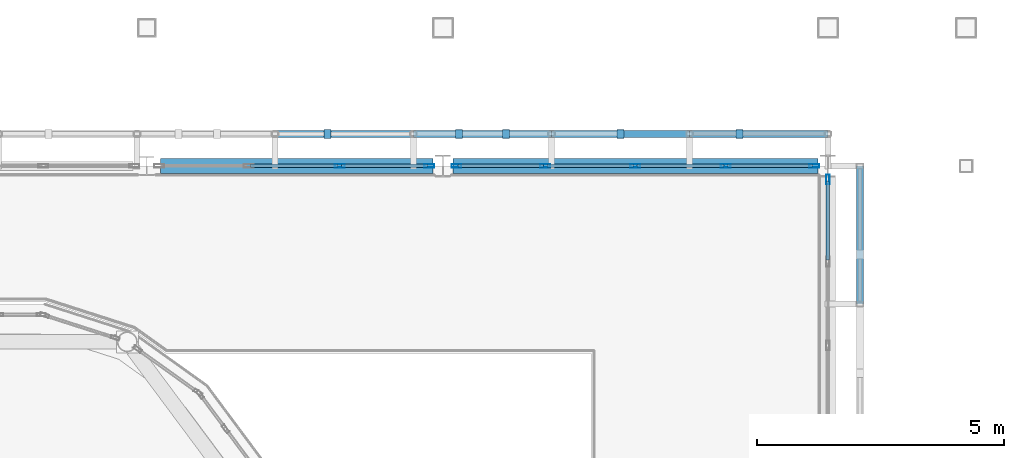
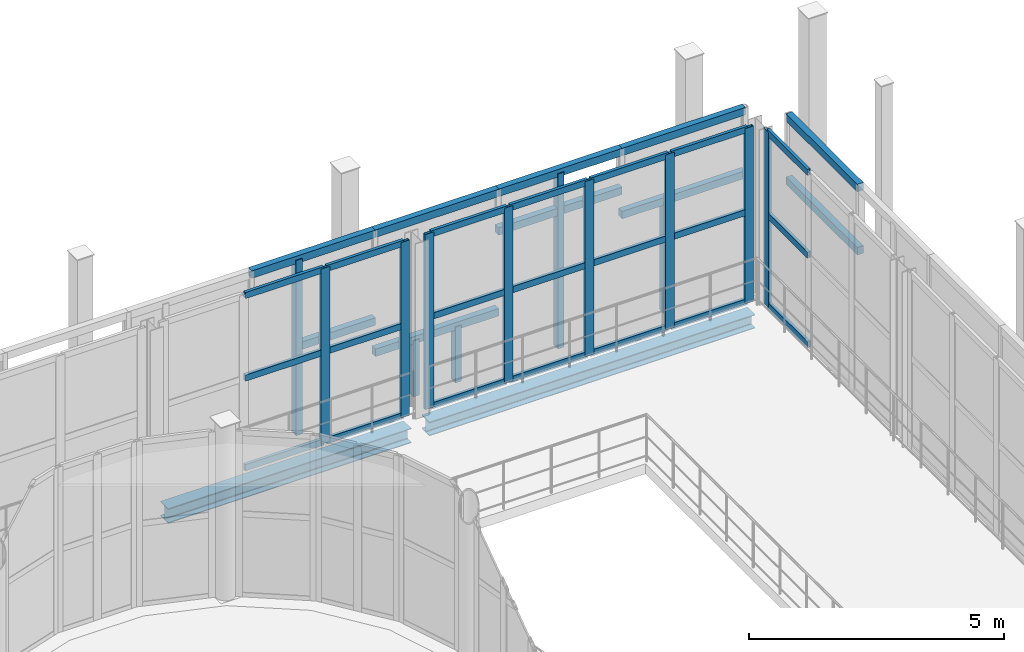
# One storey, part 52 of 121: 44 members, 2 beams, 3 elements without a shape of their own.
"""IFC4 building model written with IfcOpenShell, lengths in metres."""

from ifc_helpers import new_model, si_unit, direction, frame, origin, origin_2d, place, context, subcontext, project, spatial, rectangle, hollow_rectangle, i_section, extrude, material, layer, layer_set, material_profile, profile_set, type_object, element, aggregate, save


model = new_model("IFC4")

# Units and contexts
model_context = context("Model", 3, precision=1e-05, world=origin(), true_north=direction((0.0, 1.0)))
body_context = subcontext(model_context, "Body", "Model", "MODEL_VIEW")
ifc_project = project(units=[si_unit("LENGTHUNIT", "METRE"), si_unit("AREAUNIT", "SQUARE_METRE"), si_unit("VOLUMEUNIT", "CUBIC_METRE"), si_unit("PLANEANGLEUNIT", "RADIAN"), si_unit("MASSUNIT", "GRAM", prefix="KILO")], contexts=[model_context])

# Site, building, storey
site_placement = place(None, origin())
site = spatial("IfcSite", under=ifc_project, at=site_placement, CompositionType="ELEMENT")
building_placement = place(site_placement, origin())
building = spatial("IfcBuilding", under=site, at=building_placement, Name="Vinh Khe Railworks Police Headquarters", CompositionType="ELEMENT")
storey_placement = place(building_placement, frame((0.0, 0.0, 4.800048828125)))
storey = spatial("IfcBuildingStorey", under=building, at=storey_placement, Name="L01", CompositionType="ELEMENT", Elevation=4.800048828125)

# Members
ifc_material_1 = material(Name="Salvaged ironwood timber", Category="wood")
ifc_material_profile_1 = material_profile(ifc_material_1, rectangle(XDim=0.139892578125, YDim=0.179931640625, at=origin_2d()), Name="TIMBER 140x180")
ifc_profile_set_1 = profile_set([ifc_material_profile_1], Name="Salvaged ironwood timber")
member_type_1 = type_object("IfcMemberType", Name="MEM-QUILT-STILE", PredefinedType="CHORD", material=ifc_profile_set_1)
member_1_placement = place(storey_placement, frame((48.800048828125, 59.449951171875, 4.119873046875), z_axis=(1.0, 0.0, 0.0), x_axis=(0.0, 1.0, 0.0)))
element("IfcMember", 1, at=member_1_placement, inside=storey, type_object=member_type_1, Name="Salvaged Timber Quilt Transom N-L01-08-TOP", PredefinedType="CHORD", context=body_context, shape_type="SweptSolid", body=[
    extrude(rectangle(XDim=0.139892578125, YDim=0.179931640625, at=origin_2d()), origin(), (0.0, 0.0, 1.0), 2.800048828125),
])
member_2_placement = place(storey_placement, frame((49.864013671875, 59.449951171875, -0.080078125), z_axis=(0.0, 0.0, 1.0), x_axis=(1.0, 0.0, 0.0)))
element("IfcMember", 2, at=member_2_placement, inside=storey, type_object=member_type_1, Name="Salvaged Timber Quilt Stile N-L01-08-V1", PredefinedType="POST", context=body_context, shape_type="SweptSolid", body=[
    extrude(rectangle(XDim=0.139892578125, YDim=0.179931640625, at=origin_2d()), origin(), (0.0, 0.0, 1.0), 4.199951171875),
])
member_3_placement = place(storey_placement, frame((49.864013671875, 59.449951171875, 2.015869140625), z_axis=(1.0, 0.0, 0.0), x_axis=(0.0, 1.0, 0.0)))
element("IfcMember", 3, at=member_3_placement, inside=storey, type_object=member_type_1, Name="Salvaged Timber Quilt Transom N-L01-08-M1", PredefinedType="CHORD", context=body_context, shape_type="SweptSolid", body=[
    extrude(rectangle(XDim=0.139892578125, YDim=0.179931640625, at=origin_2d()), origin(), (0.0, 0.0, 1.0), 1.736083984375),
])
for number, where, z_axis, x_axis, name in (
    (4, (51.60009765625, 59.449951171875, 4.119873046875), (1.0, 0.0, 0.0), (0.0, 1.0, 0.0), "Salvaged Timber Quilt Transom N-L01-09-TOP"),
    (5, (51.60009765625, 59.449951171875, 1.260009765625), (1.0, 0.0, 0.0), (0.0, 1.0, 0.0), "Salvaged Timber Quilt Transom N-L01-09-M1"),
):
    element("IfcMember", number, at=place(storey_placement, frame(where, z_axis=z_axis, x_axis=x_axis)), inside=storey, type_object=member_type_1, Name=name, PredefinedType="CHORD", context=body_context, shape_type="SweptSolid", body=[
        extrude(rectangle(XDim=0.139892578125, YDim=0.179931640625, at=origin_2d()), origin(), (0.0, 0.0, 1.0), 2.7998046875),
    ])
for number, where, z_axis, x_axis, name in (
    (6, (52.52392578125, 59.449951171875, -0.080078125), (0.0, 0.0, 1.0), (1.0, 0.0, 0.0), "Salvaged Timber Quilt Stile N-L01-09-V1"),
    (7, (53.47607421875, 59.449951171875, -0.080078125), (0.0, 0.0, 1.0), (1.0, 0.0, 0.0), "Salvaged Timber Quilt Stile N-L01-09-V2"),
):
    element("IfcMember", number, at=place(storey_placement, frame(where, z_axis=z_axis, x_axis=x_axis)), inside=storey, type_object=member_type_1, Name=name, PredefinedType="POST", context=body_context, shape_type="SweptSolid", body=[
        extrude(rectangle(XDim=0.139892578125, YDim=0.179931640625, at=origin_2d()), origin(), (0.0, 0.0, 1.0), 1.340087890625),
    ])
for number, where, z_axis, x_axis, name in (
    (8, (54.39990234375, 59.449951171875, 4.119873046875), (1.0, 0.0, 0.0), (0.0, 1.0, 0.0), "Salvaged Timber Quilt Transom N-L01-10-TOP"),
    (9, (54.39990234375, 59.449951171875, 3.19189453125), (1.0, 0.0, 0.0), (0.0, 1.0, 0.0), "Salvaged Timber Quilt Transom N-L01-10-M1"),
):
    element("IfcMember", number, at=place(storey_placement, frame(where, z_axis=z_axis, x_axis=x_axis)), inside=storey, type_object=member_type_1, Name=name, PredefinedType="CHORD", context=body_context, shape_type="SweptSolid", body=[
        extrude(rectangle(XDim=0.139892578125, YDim=0.179931640625, at=origin_2d()), origin(), (0.0, 0.0, 1.0), 2.800048828125),
    ])
member_4_placement = place(storey_placement, frame((55.800048828125, 59.449951171875, -0.080078125), z_axis=(0.0, 0.0, 1.0), x_axis=(1.0, 0.0, 0.0)))
element("IfcMember", 10, at=member_4_placement, inside=storey, type_object=member_type_1, Name="Salvaged Timber Quilt Stile N-L01-10-V1", PredefinedType="POST", context=body_context, shape_type="SweptSolid", body=[
    extrude(rectangle(XDim=0.139892578125, YDim=0.179931640625, at=origin_2d()), origin(), (0.0, 0.0, 1.0), 4.199951171875),
])
for number, where, z_axis, x_axis, name in (
    (11, (57.199951171875, 59.449951171875, 4.119873046875), (1.0, 0.0, 0.0), (0.0, 1.0, 0.0), "Salvaged Timber Quilt Transom N-L01-11-TOP"),
    (12, (57.199951171875, 59.449951171875, 2.60400390625), (1.0, 0.0, 0.0), (0.0, 1.0, 0.0), "Salvaged Timber Quilt Transom N-L01-11-M1"),
):
    element("IfcMember", number, at=place(storey_placement, frame(where, z_axis=z_axis, x_axis=x_axis)), inside=storey, type_object=member_type_1, Name=name, PredefinedType="CHORD", context=body_context, shape_type="SweptSolid", body=[
        extrude(rectangle(XDim=0.139892578125, YDim=0.179931640625, at=origin_2d()), origin(), (0.0, 0.0, 1.0), 2.800048828125),
    ])
member_5_placement = place(storey_placement, frame((58.2080078125, 59.449951171875, -0.080078125), z_axis=(0.0, 0.0, 1.0), x_axis=(1.0, 0.0, 0.0)))
element("IfcMember", 13, at=member_5_placement, inside=storey, type_object=member_type_1, Name="Salvaged Timber Quilt Stile N-L01-11-V1", PredefinedType="POST", context=body_context, shape_type="SweptSolid", body=[
    extrude(rectangle(XDim=0.139892578125, YDim=0.179931640625, at=origin_2d()), origin(), (0.0, 0.0, 1.0), 2.68408203125),
])
for number, where, z_axis, x_axis, name in (
    (14, (60.64990234375, 56.0, 4.119873046875), (0.0, 1.0, 0.0), (-1.0, 0.0, 0.0), "Salvaged Timber Quilt Transom E-L01-11-TOP"),
    (15, (60.64990234375, 56.0, 2.60400390625), (0.0, 1.0, 0.0), (-1.0, 0.0, 0.0), "Salvaged Timber Quilt Transom E-L01-11-M1"),
):
    element("IfcMember", number, at=place(storey_placement, frame(where, z_axis=z_axis, x_axis=x_axis)), inside=storey, type_object=member_type_1, Name=name, PredefinedType="CHORD", context=body_context, shape_type="SweptSolid", body=[
        extrude(rectangle(XDim=0.139892578125, YDim=0.179931640625, at=origin_2d()), origin(), (0.0, 0.0, 1.0), 2.800048828125),
    ])

# Curtain wall, members
ifc_material_2 = material(Name="Anodised aluminium and low-iron glass", Category="aluminium")
ifc_layer = layer(ifc_material_2, 0.179931640625)
ifc_layer_set = layer_set([ifc_layer], Name="Anodised aluminium and low-iron glass")
curtain_wall_type = type_object("IfcCurtainWallType", Name="CW-CUBE-UNIT", PredefinedType="USERDEFINED", material=ifc_layer_set)
curtain_wall_1_placement = place(storey_placement, origin())
curtain_wall_1 = element("IfcCurtainWall", 16, at=curtain_wall_1_placement, inside=storey, type_object=curtain_wall_type, Name="Entrance Hall Curtain Wall L01 N-4", ObjectType="UNITISED GLAZING", PredefinedType="USERDEFINED")
ifc_material_3 = material(Name="Anodised aluminium 6063-T6", Category="aluminium")
ifc_material_profile_2 = material_profile(ifc_material_3, hollow_rectangle(XDim=0.070068359375, YDim=0.199951171875, WallThickness=0.0048828125, at=origin_2d()), Name="CW-M 70x200x5")
ifc_profile_set_2 = profile_set([ifc_material_profile_2], Name="Anodised aluminium 6063-T6")
member_type_2 = type_object("IfcMemberType", Name="MULL-CWM-03", PredefinedType="MULLION", material=ifc_profile_set_2)
member_6_placement = place(storey_placement, frame((50.111572265625, 58.800048828125, 0.0), z_axis=(0.0, 0.0, 1.0), x_axis=(0.0, 1.0, 0.0)))
member_6 = element("IfcMember", 17, at=member_6_placement, type_object=member_type_2, Name="CW-01 mullion 3", PredefinedType="MULLION", context=body_context, shape_type="SweptSolid", body=[
    extrude(hollow_rectangle(XDim=0.070068359375, YDim=0.199951171875, WallThickness=0.0048828125, at=origin_2d()), origin(), (0.0, 0.0, 1.0), 4.199951171875),
])
member_7_placement = place(storey_placement, frame((51.925048828125, 58.800048828125, 0.0), z_axis=(0.0, 0.0, 1.0), x_axis=(0.0, 1.0, 0.0)))
member_7 = element("IfcMember", 18, at=member_7_placement, type_object=member_type_2, Name="CW-01 mullion 4", PredefinedType="MULLION", context=body_context, shape_type="SweptSolid", body=[
    extrude(hollow_rectangle(XDim=0.070068359375, YDim=0.199951171875, WallThickness=0.0048828125, at=origin_2d()), origin(), (0.0, 0.0, 1.0), 4.199951171875),
])

curtain_wall_2_placement = place(storey_placement, origin())
curtain_wall_2 = element("IfcCurtainWall", 19, at=curtain_wall_2_placement, inside=storey, type_object=curtain_wall_type, Name="Entrance Hall Curtain Wall L01 N-5", ObjectType="UNITISED GLAZING", PredefinedType="USERDEFINED")
member_8_placement = place(storey_placement, frame((52.47509765625, 58.800048828125, 0.0), z_axis=(0.0, 0.0, 1.0), x_axis=(0.0, 1.0, 0.0)))
member_8 = element("IfcMember", 20, at=member_8_placement, type_object=member_type_2, Name="CW-01 mullion 1", PredefinedType="MULLION", context=body_context, shape_type="SweptSolid", body=[
    extrude(hollow_rectangle(XDim=0.070068359375, YDim=0.199951171875, WallThickness=0.0048828125, at=origin_2d()), origin(), (0.0, 0.0, 1.0), 4.199951171875),
])
member_9_placement = place(storey_placement, frame((54.27001953125, 58.800048828125, 0.0), z_axis=(0.0, 0.0, 1.0), x_axis=(0.0, 1.0, 0.0)))
member_9 = element("IfcMember", 21, at=member_9_placement, type_object=member_type_2, Name="CW-01 mullion 2", PredefinedType="MULLION", context=body_context, shape_type="SweptSolid", body=[
    extrude(hollow_rectangle(XDim=0.070068359375, YDim=0.199951171875, WallThickness=0.0048828125, at=origin_2d()), origin(), (0.0, 0.0, 1.0), 4.199951171875),
])
member_10_placement = place(storey_placement, frame((56.10009765625, 58.800048828125, 0.0), z_axis=(0.0, 0.0, 1.0), x_axis=(0.0, 1.0, 0.0)))
member_10 = element("IfcMember", 22, at=member_10_placement, type_object=member_type_2, Name="CW-01 mullion 3", PredefinedType="MULLION", context=body_context, shape_type="SweptSolid", body=[
    extrude(hollow_rectangle(XDim=0.070068359375, YDim=0.199951171875, WallThickness=0.0048828125, at=origin_2d()), origin(), (0.0, 0.0, 1.0), 4.199951171875),
])
member_11_placement = place(storey_placement, frame((57.929931640625, 58.800048828125, 0.0), z_axis=(0.0, 0.0, 1.0), x_axis=(0.0, 1.0, 0.0)))
member_11 = element("IfcMember", 23, at=member_11_placement, type_object=member_type_2, Name="CW-01 mullion 4", PredefinedType="MULLION", context=body_context, shape_type="SweptSolid", body=[
    extrude(hollow_rectangle(XDim=0.070068359375, YDim=0.199951171875, WallThickness=0.0048828125, at=origin_2d()), origin(), (0.0, 0.0, 1.0), 4.199951171875),
])
member_12_placement = place(storey_placement, frame((59.72509765625, 58.800048828125, 0.0), z_axis=(0.0, 0.0, 1.0), x_axis=(0.0, 1.0, 0.0)))
member_12 = element("IfcMember", 24, at=member_12_placement, type_object=member_type_2, Name="CW-01 mullion 5", PredefinedType="MULLION", context=body_context, shape_type="SweptSolid", body=[
    extrude(hollow_rectangle(XDim=0.070068359375, YDim=0.199951171875, WallThickness=0.0048828125, at=origin_2d()), origin(), (0.0, 0.0, 1.0), 4.199951171875),
])

# Curtain wall, member
curtain_wall_3_placement = place(storey_placement, origin())
curtain_wall_3 = element("IfcCurtainWall", 25, at=curtain_wall_3_placement, inside=storey, type_object=curtain_wall_type, Name="Entrance Hall Curtain Wall L01 E-6", ObjectType="UNITISED GLAZING", PredefinedType="USERDEFINED")
member_13_placement = place(storey_placement, frame((60.0, 58.52490234375, 0.0), z_axis=(0.0, 0.0, 1.0), x_axis=(-1.0, 0.0, 0.0)))
member_13 = element("IfcMember", 26, at=member_13_placement, type_object=member_type_2, Name="CW-01 mullion 4", PredefinedType="MULLION", context=body_context, shape_type="SweptSolid", body=[
    extrude(hollow_rectangle(XDim=0.070068359375, YDim=0.199951171875, WallThickness=0.0048828125, at=origin_2d()), origin(), (0.0, 0.0, 1.0), 4.199951171875),
])

# Beams
ifc_material_4 = material(Name="Steel S355JR", Category="steel")
ifc_material_profile_3 = material_profile(ifc_material_4, i_section(OverallWidth=0.300048828125, OverallDepth=0.330078125, WebThickness=0.009521484375, FlangeThickness=0.0166015625, FilletRadius=0.027099609375, at=origin_2d()), Name="HEA 340")
ifc_profile_set_3 = profile_set([ifc_material_profile_3], Name="Steel S355JR")
beam_type_1 = type_object("IfcBeamType", Name="Steel Girder HEA 340", PredefinedType="BEAM", material=ifc_profile_set_3)
beam_1_placement = place(storey_placement, frame((52.405029296875, 58.800048828125, -0.405029296875), z_axis=(1.0, 0.0, 0.0), x_axis=(0.0, 1.0, 0.0)))
element("IfcBeam", 27, at=beam_1_placement, inside=storey, type_object=beam_type_1, Name="Girder BM-L01-EW-SB-16-0464", PredefinedType="BEAM", context=body_context, shape_type="SweptSolid", body=[
    extrude(i_section(OverallWidth=0.300048828125, OverallDepth=0.330078125, WebThickness=0.009521484375, FlangeThickness=0.0166015625, FilletRadius=0.027099609375, at=origin_2d()), origin(), (0.0, 0.0, 1.0), 7.389892578125),
])
ifc_material_profile_4 = material_profile(ifc_material_4, i_section(OverallWidth=0.300048828125, OverallDepth=0.35009765625, WebThickness=0.010009765625, FlangeThickness=0.017578125, FilletRadius=0.027099609375, at=origin_2d()), Name="HEA 360")
ifc_profile_set_4 = profile_set([ifc_material_profile_4], Name="Steel S355JR")
beam_type_2 = type_object("IfcBeamType", Name="Steel Girder HEA 360", PredefinedType="BEAM", material=ifc_profile_set_4)
beam_2_placement = place(storey_placement, frame((46.47998046875, 58.800048828125, -0.4150390625), z_axis=(1.0, 0.0, 0.0), x_axis=(0.0, 1.0, 0.0)))
element("IfcBeam", 28, at=beam_2_placement, inside=storey, type_object=beam_type_2, Name="Girder BM-L01-EW-SB-15-0463", PredefinedType="BEAM", context=body_context, shape_type="SweptSolid", body=[
    extrude(i_section(OverallWidth=0.300048828125, OverallDepth=0.35009765625, WebThickness=0.010009765625, FlangeThickness=0.017578125, FilletRadius=0.027099609375, at=origin_2d()), origin(), (0.0, 0.0, 1.0), 5.51513671875),
])

# Member
ifc_material_profile_5 = material_profile(ifc_material_3, hollow_rectangle(XDim=0.070068359375, YDim=0.14990234375, WallThickness=0.0048828125, at=origin_2d()), Name="CW-T 70x150x5")
ifc_profile_set_5 = profile_set([ifc_material_profile_5], Name="Anodised aluminium 6063-T6")
member_type_3 = type_object("IfcMemberType", Name="TRAN-CWT-03", PredefinedType="USERDEFINED", material=ifc_profile_set_5)
member_14_placement = place(storey_placement, frame((48.29833984375, 58.800048828125, 0.034912109375), z_axis=(1.0, 0.0, 0.0), x_axis=(0.0, 1.0, 0.0)))
member_14 = element("IfcMember", 29, at=member_14_placement, type_object=member_type_3, Name="CW-01 transom 2.1", ObjectType="TRANSOM", PredefinedType="USERDEFINED", context=body_context, shape_type="SweptSolid", body=[
    extrude(hollow_rectangle(XDim=0.070068359375, YDim=0.14990234375, WallThickness=0.0048828125, at=origin_2d()), origin(), (0.0, 0.0, 1.0), 1.7783203125),
])

member_15_placement = place(storey_placement, frame((48.29833984375, 58.800048828125, 2.183837890625), z_axis=(1.0, 0.0, 0.0), x_axis=(0.0, 1.0, 0.0)))
member_15 = element("IfcMember", 30, at=member_15_placement, type_object=member_type_3, Name="CW-01 transom 2.2", ObjectType="TRANSOM", PredefinedType="USERDEFINED", context=body_context, shape_type="SweptSolid", body=[
    extrude(hollow_rectangle(XDim=0.070068359375, YDim=0.14990234375, WallThickness=0.0048828125, at=origin_2d()), origin(), (0.0, 0.0, 1.0), 1.7783203125),
])

member_16_placement = place(storey_placement, frame((48.29833984375, 58.800048828125, 4.1650390625), z_axis=(1.0, 0.0, 0.0), x_axis=(0.0, 1.0, 0.0)))
member_16 = element("IfcMember", 31, at=member_16_placement, type_object=member_type_3, Name="CW-01 transom 2.3", ObjectType="TRANSOM", PredefinedType="USERDEFINED", context=body_context, shape_type="SweptSolid", body=[
    extrude(hollow_rectangle(XDim=0.070068359375, YDim=0.14990234375, WallThickness=0.0048828125, at=origin_2d()), origin(), (0.0, 0.0, 1.0), 1.7783203125),
])

member_17_placement = place(storey_placement, frame((50.146728515625, 58.800048828125, 0.034912109375), z_axis=(1.0, 0.0, 0.0), x_axis=(0.0, 1.0, 0.0)))
member_17 = element("IfcMember", 32, at=member_17_placement, type_object=member_type_3, Name="CW-01 transom 3.1", ObjectType="TRANSOM", PredefinedType="USERDEFINED", context=body_context, shape_type="SweptSolid", body=[
    extrude(hollow_rectangle(XDim=0.070068359375, YDim=0.14990234375, WallThickness=0.0048828125, at=origin_2d()), origin(), (0.0, 0.0, 1.0), 1.7431640625),
])

member_18_placement = place(storey_placement, frame((50.146728515625, 58.800048828125, 2.183837890625), z_axis=(1.0, 0.0, 0.0), x_axis=(0.0, 1.0, 0.0)))
member_18 = element("IfcMember", 33, at=member_18_placement, type_object=member_type_3, Name="CW-01 transom 3.2", ObjectType="TRANSOM", PredefinedType="USERDEFINED", context=body_context, shape_type="SweptSolid", body=[
    extrude(hollow_rectangle(XDim=0.070068359375, YDim=0.14990234375, WallThickness=0.0048828125, at=origin_2d()), origin(), (0.0, 0.0, 1.0), 1.7431640625),
])

member_19_placement = place(storey_placement, frame((50.146728515625, 58.800048828125, 4.1650390625), z_axis=(1.0, 0.0, 0.0), x_axis=(0.0, 1.0, 0.0)))
member_19 = element("IfcMember", 34, at=member_19_placement, type_object=member_type_3, Name="CW-01 transom 3.3", ObjectType="TRANSOM", PredefinedType="USERDEFINED", context=body_context, shape_type="SweptSolid", body=[
    extrude(hollow_rectangle(XDim=0.070068359375, YDim=0.14990234375, WallThickness=0.0048828125, at=origin_2d()), origin(), (0.0, 0.0, 1.0), 1.7431640625),
])

aggregate(curtain_wall_1, [member_6, member_7, member_14, member_15, member_16, member_17, member_18, member_19])

member_20_placement = place(storey_placement, frame((52.510009765625, 58.800048828125, 0.034912109375), z_axis=(1.0, 0.0, 0.0), x_axis=(0.0, 1.0, 0.0)))
member_20 = element("IfcMember", 35, at=member_20_placement, type_object=member_type_3, Name="CW-01 transom 1.1", ObjectType="TRANSOM", PredefinedType="USERDEFINED", context=body_context, shape_type="SweptSolid", body=[
    extrude(hollow_rectangle(XDim=0.070068359375, YDim=0.14990234375, WallThickness=0.0048828125, at=origin_2d()), origin(), (0.0, 0.0, 1.0), 1.72509765625),
])

member_21_placement = place(storey_placement, frame((52.510009765625, 58.800048828125, 2.183837890625), z_axis=(1.0, 0.0, 0.0), x_axis=(0.0, 1.0, 0.0)))
member_21 = element("IfcMember", 36, at=member_21_placement, type_object=member_type_3, Name="CW-01 transom 1.2", ObjectType="TRANSOM", PredefinedType="USERDEFINED", context=body_context, shape_type="SweptSolid", body=[
    extrude(hollow_rectangle(XDim=0.070068359375, YDim=0.14990234375, WallThickness=0.0048828125, at=origin_2d()), origin(), (0.0, 0.0, 1.0), 1.72509765625),
])

member_22_placement = place(storey_placement, frame((52.510009765625, 58.800048828125, 4.1650390625), z_axis=(1.0, 0.0, 0.0), x_axis=(0.0, 1.0, 0.0)))
member_22 = element("IfcMember", 37, at=member_22_placement, type_object=member_type_3, Name="CW-01 transom 1.3", ObjectType="TRANSOM", PredefinedType="USERDEFINED", context=body_context, shape_type="SweptSolid", body=[
    extrude(hollow_rectangle(XDim=0.070068359375, YDim=0.14990234375, WallThickness=0.0048828125, at=origin_2d()), origin(), (0.0, 0.0, 1.0), 1.72509765625),
])

member_23_placement = place(storey_placement, frame((54.304931640625, 58.800048828125, 0.034912109375), z_axis=(1.0, 0.0, 0.0), x_axis=(0.0, 1.0, 0.0)))
member_23 = element("IfcMember", 38, at=member_23_placement, type_object=member_type_3, Name="CW-01 transom 2.1", ObjectType="TRANSOM", PredefinedType="USERDEFINED", context=body_context, shape_type="SweptSolid", body=[
    extrude(hollow_rectangle(XDim=0.070068359375, YDim=0.14990234375, WallThickness=0.0048828125, at=origin_2d()), origin(), (0.0, 0.0, 1.0), 1.760009765625),
])

member_24_placement = place(storey_placement, frame((54.304931640625, 58.800048828125, 2.183837890625), z_axis=(1.0, 0.0, 0.0), x_axis=(0.0, 1.0, 0.0)))
member_24 = element("IfcMember", 39, at=member_24_placement, type_object=member_type_3, Name="CW-01 transom 2.2", ObjectType="TRANSOM", PredefinedType="USERDEFINED", context=body_context, shape_type="SweptSolid", body=[
    extrude(hollow_rectangle(XDim=0.070068359375, YDim=0.14990234375, WallThickness=0.0048828125, at=origin_2d()), origin(), (0.0, 0.0, 1.0), 1.760009765625),
])

member_25_placement = place(storey_placement, frame((54.304931640625, 58.800048828125, 4.1650390625), z_axis=(1.0, 0.0, 0.0), x_axis=(0.0, 1.0, 0.0)))
member_25 = element("IfcMember", 40, at=member_25_placement, type_object=member_type_3, Name="CW-01 transom 2.3", ObjectType="TRANSOM", PredefinedType="USERDEFINED", context=body_context, shape_type="SweptSolid", body=[
    extrude(hollow_rectangle(XDim=0.070068359375, YDim=0.14990234375, WallThickness=0.0048828125, at=origin_2d()), origin(), (0.0, 0.0, 1.0), 1.760009765625),
])

member_26_placement = place(storey_placement, frame((56.135009765625, 58.800048828125, 0.034912109375), z_axis=(1.0, 0.0, 0.0), x_axis=(0.0, 1.0, 0.0)))
member_26 = element("IfcMember", 41, at=member_26_placement, type_object=member_type_3, Name="CW-01 transom 3.1", ObjectType="TRANSOM", PredefinedType="USERDEFINED", context=body_context, shape_type="SweptSolid", body=[
    extrude(hollow_rectangle(XDim=0.070068359375, YDim=0.14990234375, WallThickness=0.0048828125, at=origin_2d()), origin(), (0.0, 0.0, 1.0), 1.760009765625),
])

member_27_placement = place(storey_placement, frame((56.135009765625, 58.800048828125, 2.183837890625), z_axis=(1.0, 0.0, 0.0), x_axis=(0.0, 1.0, 0.0)))
member_27 = element("IfcMember", 42, at=member_27_placement, type_object=member_type_3, Name="CW-01 transom 3.2", ObjectType="TRANSOM", PredefinedType="USERDEFINED", context=body_context, shape_type="SweptSolid", body=[
    extrude(hollow_rectangle(XDim=0.070068359375, YDim=0.14990234375, WallThickness=0.0048828125, at=origin_2d()), origin(), (0.0, 0.0, 1.0), 1.760009765625),
])

member_28_placement = place(storey_placement, frame((56.135009765625, 58.800048828125, 4.1650390625), z_axis=(1.0, 0.0, 0.0), x_axis=(0.0, 1.0, 0.0)))
member_28 = element("IfcMember", 43, at=member_28_placement, type_object=member_type_3, Name="CW-01 transom 3.3", ObjectType="TRANSOM", PredefinedType="USERDEFINED", context=body_context, shape_type="SweptSolid", body=[
    extrude(hollow_rectangle(XDim=0.070068359375, YDim=0.14990234375, WallThickness=0.0048828125, at=origin_2d()), origin(), (0.0, 0.0, 1.0), 1.760009765625),
])

member_29_placement = place(storey_placement, frame((57.965087890625, 58.800048828125, 0.034912109375), z_axis=(1.0, 0.0, 0.0), x_axis=(0.0, 1.0, 0.0)))
member_29 = element("IfcMember", 44, at=member_29_placement, type_object=member_type_3, Name="CW-01 transom 4.1", ObjectType="TRANSOM", PredefinedType="USERDEFINED", context=body_context, shape_type="SweptSolid", body=[
    extrude(hollow_rectangle(XDim=0.070068359375, YDim=0.14990234375, WallThickness=0.0048828125, at=origin_2d()), origin(), (0.0, 0.0, 1.0), 1.724853515625),
])

member_30_placement = place(storey_placement, frame((57.965087890625, 58.800048828125, 2.183837890625), z_axis=(1.0, 0.0, 0.0), x_axis=(0.0, 1.0, 0.0)))
member_30 = element("IfcMember", 45, at=member_30_placement, type_object=member_type_3, Name="CW-01 transom 4.2", ObjectType="TRANSOM", PredefinedType="USERDEFINED", context=body_context, shape_type="SweptSolid", body=[
    extrude(hollow_rectangle(XDim=0.070068359375, YDim=0.14990234375, WallThickness=0.0048828125, at=origin_2d()), origin(), (0.0, 0.0, 1.0), 1.724853515625),
])

member_31_placement = place(storey_placement, frame((57.965087890625, 58.800048828125, 4.1650390625), z_axis=(1.0, 0.0, 0.0), x_axis=(0.0, 1.0, 0.0)))
member_31 = element("IfcMember", 46, at=member_31_placement, type_object=member_type_3, Name="CW-01 transom 4.3", ObjectType="TRANSOM", PredefinedType="USERDEFINED", context=body_context, shape_type="SweptSolid", body=[
    extrude(hollow_rectangle(XDim=0.070068359375, YDim=0.14990234375, WallThickness=0.0048828125, at=origin_2d()), origin(), (0.0, 0.0, 1.0), 1.724853515625),
])

aggregate(curtain_wall_2, [member_8, member_9, member_10, member_11, member_12, member_20, member_21, member_22, member_23, member_24, member_25, member_26, member_27, member_28, member_29, member_30, member_31])

member_32_placement = place(storey_placement, frame((60.0, 56.896728515625, 0.034912109375), z_axis=(0.0, 1.0, 0.0), x_axis=(-1.0, 0.0, 0.0)))
member_32 = element("IfcMember", 47, at=member_32_placement, type_object=member_type_3, Name="CW-01 transom 3.1", ObjectType="TRANSOM", PredefinedType="USERDEFINED", context=body_context, shape_type="SweptSolid", body=[
    extrude(hollow_rectangle(XDim=0.070068359375, YDim=0.14990234375, WallThickness=0.0048828125, at=origin_2d()), origin(), (0.0, 0.0, 1.0), 1.59326171875),
])

member_33_placement = place(storey_placement, frame((60.0, 56.896728515625, 2.183837890625), z_axis=(0.0, 1.0, 0.0), x_axis=(-1.0, 0.0, 0.0)))
member_33 = element("IfcMember", 48, at=member_33_placement, type_object=member_type_3, Name="CW-01 transom 3.2", ObjectType="TRANSOM", PredefinedType="USERDEFINED", context=body_context, shape_type="SweptSolid", body=[
    extrude(hollow_rectangle(XDim=0.070068359375, YDim=0.14990234375, WallThickness=0.0048828125, at=origin_2d()), origin(), (0.0, 0.0, 1.0), 1.59326171875),
])

member_34_placement = place(storey_placement, frame((60.0, 56.896728515625, 4.1650390625), z_axis=(0.0, 1.0, 0.0), x_axis=(-1.0, 0.0, 0.0)))
member_34 = element("IfcMember", 49, at=member_34_placement, type_object=member_type_3, Name="CW-01 transom 3.3", ObjectType="TRANSOM", PredefinedType="USERDEFINED", context=body_context, shape_type="SweptSolid", body=[
    extrude(hollow_rectangle(XDim=0.070068359375, YDim=0.14990234375, WallThickness=0.0048828125, at=origin_2d()), origin(), (0.0, 0.0, 1.0), 1.59326171875),
])

aggregate(curtain_wall_3, [member_13, member_32, member_33, member_34])

save(model, "model.ifc")
